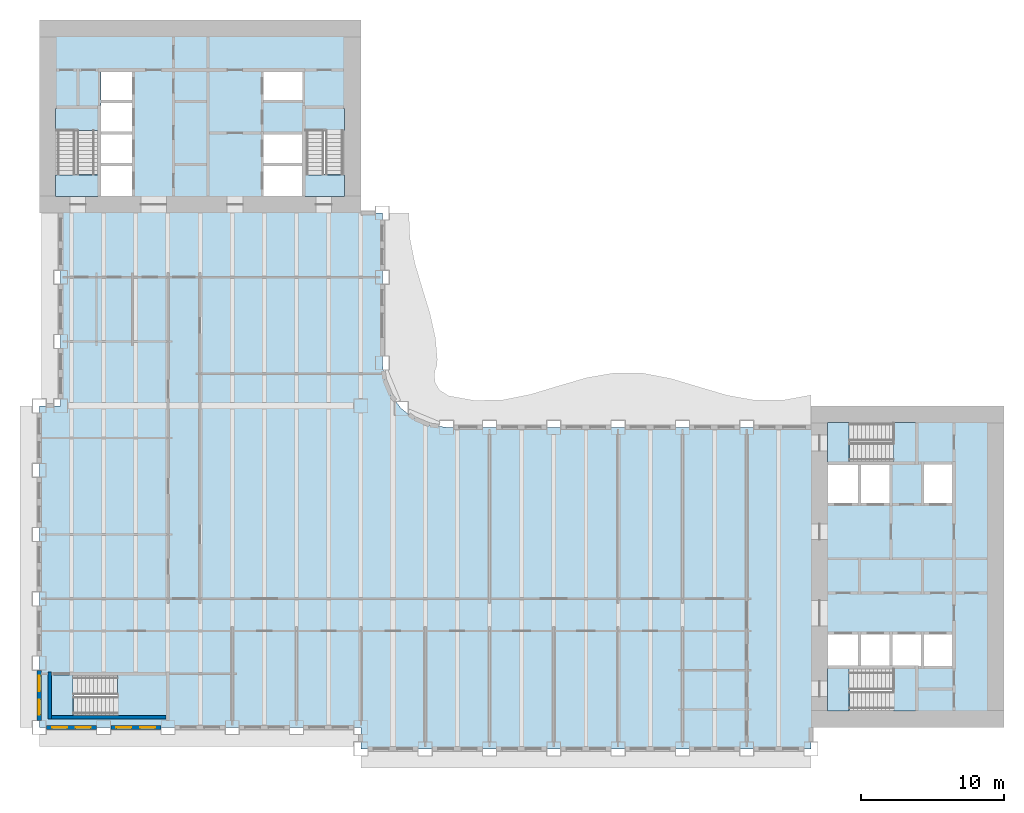
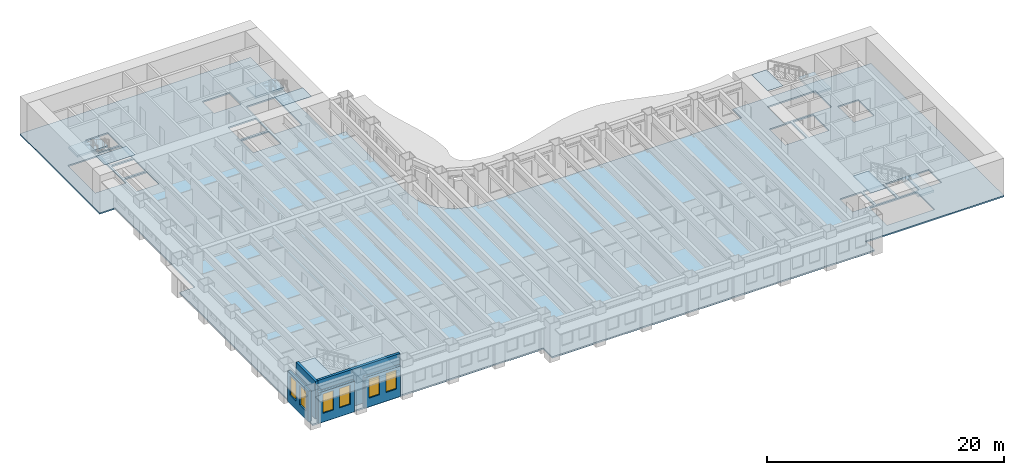
# One storey, part 2 of 16: 11 slabs, 6 windows, 5 walls, 6 openings, 5 elements without a shape of their own.
"""IFC4 building model written with IfcOpenShell, lengths in metres."""

from ifc_helpers import new_model, si_unit, direction, frame, frame_2d, origin, place, context, subcontext, project, spatial, polyline, rectangle, outline, extrude, material, layer, layer_set, type_object, element, fill, aggregate, save


model = new_model("IFC4")

# Units and contexts
model_context = context("Model", 3, precision=1e-05, world=origin(), true_north=direction((0.0, 1.0)))
body_context = subcontext(model_context, "Body", "Model", "MODEL_VIEW")
ifc_project = project(units=[si_unit("LENGTHUNIT", "METRE"), si_unit("AREAUNIT", "SQUARE_METRE"), si_unit("VOLUMEUNIT", "CUBIC_METRE"), si_unit("PLANEANGLEUNIT", "RADIAN"), si_unit("MASSUNIT", "GRAM", prefix="KILO")], contexts=[model_context])

# Site, building, storey
site_placement = place(None, origin())
site = spatial("IfcSite", under=ifc_project, at=site_placement, CompositionType="ELEMENT")
building_placement = place(site_placement, origin())
building = spatial("IfcBuilding", under=site, at=building_placement, Name="Sennacour Bend Tower", CompositionType="ELEMENT")
storey_placement = place(building_placement, frame((0.0, 0.0, 103.0)))
storey = spatial("IfcBuildingStorey", under=building, at=storey_placement, Name="L23", CompositionType="ELEMENT", Elevation=103.0)

# Slabs
ifc_material_1 = material(Name="Concrete C30/37", Category="concrete")
ifc_layer_1 = layer(ifc_material_1, 0.14990234375, Name="Concrete C30/37", Category="concrete")
ifc_layer_set_1 = layer_set([ifc_layer_1], Name="Concrete C30/37")
slab_type_1 = type_object("IfcSlabType", Name="Floor slab 150", PredefinedType="FLOOR", material=ifc_layer_set_1)
slab_1_placement = place(storey_placement, frame((0.0, 0.0, -0.14990234375)))
element("IfcSlab", 1, at=slab_1_placement, inside=storey, type_object=slab_type_1, Name="Floor slab L23-01", PredefinedType="FLOOR", context=body_context, shape_type="SweptSolid", body=[
    extrude(outline(polyline([(22.5, 0.0), (0.0, 0.0), (0.0, 22.5), (1.5, 22.5), (1.5, 36.0), (0.0, 36.0), (0.0, 49.5), (22.5, 49.5), (22.5, 36.0), (24.0, 36.0), (24.0, 25.5), (24.1533203125, 24.335205078125), (24.602783203125, 23.25), (25.318115234375, 22.318115234375), (26.25, 21.602783203125), (27.335205078125, 21.1533203125), (28.5, 21.0), (54.0, 21.0), (54.0, 22.5), (67.5, 22.5), (67.5, 0.0), (54.0, 0.0), (54.0, -1.5), (22.5, -1.5), (22.5, 0.0)]), holes=[polyline([(8.800048828125, 0.949951171875), (8.800048828125, 3.5), (2.429931640625, 3.5), (2.429931640625, 0.949951171875), (8.800048828125, 0.949951171875)]), polyline([(6.5, 37.199951171875), (6.5, 39.300048828125), (4.300048828125, 39.300048828125), (4.300048828125, 37.199951171875), (6.5, 37.199951171875)]), polyline([(18.39990234375, 37.199951171875), (18.39990234375, 39.300048828125), (15.699951171875, 39.300048828125), (15.699951171875, 37.199951171875), (18.39990234375, 37.199951171875)]), polyline([(6.5, 39.5), (6.5, 41.5), (4.300048828125, 41.5), (4.300048828125, 39.5), (6.5, 39.5)]), polyline([(18.39990234375, 39.5), (18.39990234375, 41.5), (15.699951171875, 41.5), (15.699951171875, 39.5), (18.39990234375, 39.5)]), polyline([(4.125, 38.72998046875), (4.125, 43.39990234375), (1.14990234375, 43.39990234375), (1.14990234375, 38.72998046875), (4.125, 38.72998046875)]), polyline([(21.35009765625, 38.72998046875), (21.35009765625, 43.39990234375), (18.574951171875, 43.39990234375), (18.574951171875, 38.72998046875), (21.35009765625, 38.72998046875)]), polyline([(4.300048828125, 41.699951171875), (6.5, 41.699951171875), (6.5, 43.699951171875), (4.300048828125, 43.699951171875), (4.300048828125, 41.699951171875)]), polyline([(4.300048828125, 43.89990234375), (6.5, 43.89990234375), (6.5, 45.89990234375), (4.300048828125, 45.89990234375), (4.300048828125, 43.89990234375)]), polyline([(18.39990234375, 43.89990234375), (18.39990234375, 45.89990234375), (15.699951171875, 45.89990234375), (15.699951171875, 43.89990234375), (18.39990234375, 43.89990234375)]), polyline([(61.39990234375, 1.14990234375), (61.39990234375, 4.125), (56.72998046875, 4.125), (56.72998046875, 1.14990234375), (61.39990234375, 1.14990234375)]), polyline([(57.300048828125, 4.300048828125), (57.300048828125, 6.5), (55.199951171875, 6.5), (55.199951171875, 4.300048828125), (57.300048828125, 4.300048828125)]), polyline([(57.5, 4.300048828125), (59.5, 4.300048828125), (59.5, 6.5), (57.5, 6.5), (57.5, 4.300048828125)]), polyline([(59.699951171875, 4.300048828125), (61.699951171875, 4.300048828125), (61.699951171875, 6.5), (59.699951171875, 6.5), (59.699951171875, 4.300048828125)]), polyline([(63.89990234375, 4.300048828125), (63.89990234375, 6.5), (61.89990234375, 6.5), (61.89990234375, 4.300048828125), (63.89990234375, 4.300048828125)]), polyline([(57.300048828125, 15.699951171875), (57.300048828125, 18.39990234375), (55.199951171875, 18.39990234375), (55.199951171875, 15.699951171875), (57.300048828125, 15.699951171875)]), polyline([(59.5, 15.699951171875), (59.5, 18.39990234375), (57.5, 18.39990234375), (57.5, 15.699951171875), (59.5, 15.699951171875)]), polyline([(61.89990234375, 15.699951171875), (63.89990234375, 15.699951171875), (63.89990234375, 18.39990234375), (61.89990234375, 18.39990234375), (61.89990234375, 15.699951171875)]), polyline([(56.72998046875, 18.574951171875), (61.39990234375, 18.574951171875), (61.39990234375, 21.35009765625), (56.72998046875, 21.35009765625), (56.72998046875, 18.574951171875)])]), origin(), (0.0, 0.0, 1.0), 0.14990234375),
])
ifc_material_2 = material(Name="Concrete C40/50", Category="concrete")
ifc_layer_2 = layer(ifc_material_2, 0.034912109375, Name="Concrete C40/50", Category="concrete")
ifc_layer_set_2 = layer_set([ifc_layer_2], Name="Concrete C40/50")
slab_type_2 = type_object("IfcSlabType", Name="Stair arrival nib 35", PredefinedType="FLOOR", material=ifc_layer_set_2)
slab_2_placement = place(storey_placement, frame((0.0, 0.0, 3.815185546875)))
element("IfcSlab", 2, at=slab_2_placement, inside=storey, type_object=slab_type_2, Name="L23 SA1 stair arrival nib", PredefinedType="FLOOR", context=body_context, shape_type="SweptSolid", body=[
    extrude(outline(polyline([(56.64208984375, 4.125), (55.14990234375, 4.125), (55.14990234375, 1.14990234375), (56.64208984375, 1.14990234375), (56.64208984375, 4.125)])), origin(), (0.0, 0.0, 1.0), 0.034912109375),
])
slab_3_placement = place(storey_placement, frame((0.0, 0.0, 3.815185546875)))
element("IfcSlab", 3, at=slab_3_placement, inside=storey, type_object=slab_type_2, Name="L23 SA2 stair arrival nib", PredefinedType="FLOOR", context=body_context, shape_type="SweptSolid", body=[
    extrude(outline(polyline([(56.64208984375, 21.35009765625), (55.14990234375, 21.35009765625), (55.14990234375, 18.574951171875), (56.64208984375, 18.574951171875), (56.64208984375, 21.35009765625)])), origin(), (0.0, 0.0, 1.0), 0.034912109375),
])
slab_4_placement = place(storey_placement, frame((0.0, 0.0, 3.815185546875)))
element("IfcSlab", 4, at=slab_4_placement, inside=storey, type_object=slab_type_2, Name="L23 SB1 stair arrival nib", PredefinedType="FLOOR", context=body_context, shape_type="SweptSolid", body=[
    extrude(outline(polyline([(1.14990234375, 38.64208984375), (1.14990234375, 37.14990234375), (4.125, 37.14990234375), (4.125, 38.64208984375), (1.14990234375, 38.64208984375)])), origin(), (0.0, 0.0, 1.0), 0.034912109375),
])
slab_5_placement = place(storey_placement, frame((0.0, 0.0, 3.815185546875)))
element("IfcSlab", 5, at=slab_5_placement, inside=storey, type_object=slab_type_2, Name="L23 SB2 stair arrival nib", PredefinedType="FLOOR", context=body_context, shape_type="SweptSolid", body=[
    extrude(outline(polyline([(18.574951171875, 38.64208984375), (18.574951171875, 37.14990234375), (21.35009765625, 37.14990234375), (21.35009765625, 38.64208984375), (18.574951171875, 38.64208984375)])), origin(), (0.0, 0.0, 1.0), 0.034912109375),
])
slab_6_placement = place(storey_placement, frame((0.0, 0.0, 3.815185546875)))
element("IfcSlab", 6, at=slab_6_placement, inside=storey, type_object=slab_type_2, Name="L23 SK1 stair arrival nib", PredefinedType="FLOOR", context=body_context, shape_type="SweptSolid", body=[
    extrude(outline(polyline([(2.342041015625, 3.675048828125), (0.800048828125, 3.675048828125), (0.800048828125, 0.800048828125), (2.342041015625, 0.800048828125), (2.342041015625, 3.675048828125)])), origin(), (0.0, 0.0, 1.0), 0.034912109375),
])

# Stair, slab
stair_type = type_object("IfcStairType", Name="ST-DOGLEG", PredefinedType="HALF_TURN_STAIR", material=ifc_material_2)
stair_1_placement = place(storey_placement, origin())
stair_1 = element("IfcStair", 7, at=stair_1_placement, inside=storey, type_object=stair_type, Name="L23 Exit stair A1", PredefinedType="HALF_TURN_STAIR")
ifc_layer_3 = layer(ifc_material_2, 0.199951171875, Name="Concrete C40/50", Category="concrete")
ifc_layer_set_3 = layer_set([ifc_layer_3], Name="Concrete C40/50")
slab_type_3 = type_object("IfcSlabType", Name="Stair landing 200", PredefinedType="LANDING", material=ifc_layer_set_3)
slab_7_placement = place(storey_placement, frame((0.0, 0.0, 1.800048828125)))
slab_7 = element("IfcSlab", 8, at=slab_7_placement, type_object=slab_type_3, Name="SA1 landing 1", PredefinedType="LANDING", context=body_context, shape_type="SweptSolid", body=[
    extrude(outline(polyline([(59.780029296875, 1.14990234375), (61.324951171875, 1.14990234375), (61.324951171875, 4.125), (59.780029296875, 4.125), (59.780029296875, 1.14990234375)])), origin(), (0.0, 0.0, 1.0), 0.199951171875),
])
aggregate(stair_1, [slab_7])

stair_2_placement = place(storey_placement, origin())
stair_2 = element("IfcStair", 9, at=stair_2_placement, inside=storey, type_object=stair_type, Name="L23 Exit stair A2", PredefinedType="HALF_TURN_STAIR")
slab_8_placement = place(storey_placement, frame((0.0, 0.0, 1.800048828125)))
slab_8 = element("IfcSlab", 10, at=slab_8_placement, type_object=slab_type_3, Name="SA2 landing 1", PredefinedType="LANDING", context=body_context, shape_type="SweptSolid", body=[
    extrude(outline(polyline([(59.780029296875, 18.574951171875), (61.324951171875, 18.574951171875), (61.324951171875, 21.35009765625), (59.780029296875, 21.35009765625), (59.780029296875, 18.574951171875)])), origin(), (0.0, 0.0, 1.0), 0.199951171875),
])
aggregate(stair_2, [slab_8])

stair_3_placement = place(storey_placement, origin())
stair_3 = element("IfcStair", 11, at=stair_3_placement, inside=storey, type_object=stair_type, Name="L23 Exit stair B1", PredefinedType="HALF_TURN_STAIR")
slab_9_placement = place(storey_placement, frame((0.0, 0.0, 1.800048828125)))
slab_9 = element("IfcSlab", 12, at=slab_9_placement, type_object=slab_type_3, Name="SB1 landing 1", PredefinedType="LANDING", context=body_context, shape_type="SweptSolid", body=[
    extrude(outline(polyline([(1.14990234375, 41.780029296875), (4.125, 41.780029296875), (4.125, 43.324951171875), (1.14990234375, 43.324951171875), (1.14990234375, 41.780029296875)])), origin(), (0.0, 0.0, 1.0), 0.199951171875),
])
aggregate(stair_3, [slab_9])

stair_4_placement = place(storey_placement, origin())
stair_4 = element("IfcStair", 13, at=stair_4_placement, inside=storey, type_object=stair_type, Name="L23 Exit stair B2", PredefinedType="HALF_TURN_STAIR")
slab_10_placement = place(storey_placement, frame((0.0, 0.0, 1.800048828125)))
slab_10 = element("IfcSlab", 14, at=slab_10_placement, type_object=slab_type_3, Name="SB2 landing 1", PredefinedType="LANDING", context=body_context, shape_type="SweptSolid", body=[
    extrude(outline(polyline([(18.574951171875, 41.780029296875), (21.35009765625, 41.780029296875), (21.35009765625, 43.324951171875), (18.574951171875, 43.324951171875), (18.574951171875, 41.780029296875)])), origin(), (0.0, 0.0, 1.0), 0.199951171875),
])
aggregate(stair_4, [slab_10])

stair_5_placement = place(storey_placement, origin())
stair_5 = element("IfcStair", 15, at=stair_5_placement, inside=storey, type_object=stair_type, Name="L23 Exit stair K1", PredefinedType="HALF_TURN_STAIR")
slab_11_placement = place(storey_placement, frame((0.0, 0.0, 1.800048828125)))
slab_11 = element("IfcSlab", 16, at=slab_11_placement, type_object=slab_type_3, Name="SK1 landing 1", PredefinedType="LANDING", context=body_context, shape_type="SweptSolid", body=[
    extrude(outline(polyline([(5.47998046875, 0.800048828125), (8.925048828125, 0.800048828125), (8.925048828125, 3.675048828125), (5.47998046875, 3.675048828125), (5.47998046875, 0.800048828125)])), origin(), (0.0, 0.0, 1.0), 0.199951171875),
])
aggregate(stair_5, [slab_11])

# Wall, openings, windows
ifc_material_3 = material(Name="Warm limestone cladding", Category="masonry")
ifc_layer_4 = layer(ifc_material_3, 0.050048828125, Name="Warm limestone cladding", Category="masonry")
ifc_material_4 = material(Name="Precast concrete C40/50", Category="concrete")
ifc_layer_5 = layer(ifc_material_4, 0.25, Name="Precast concrete C40/50", Category="concrete")
ifc_layer_set_4 = layer_set([ifc_layer_4, ifc_layer_5], Name="Precast concrete C40/50 with limestone cladding")
wall_type_1 = type_object("IfcWallType", Name="STONE-CLAD PRECAST SPANDREL 300", PredefinedType="STANDARD", material=ifc_layer_set_4)
wall_1_placement = place(storey_placement, frame((0.0, 4.0, 0.0), z_axis=(0.0, 0.0, 1.0), x_axis=(0.0, -1.0, 0.0)))
wall_1 = element("IfcWall", 17, at=wall_1_placement, inside=storey, type_object=wall_type_1, Name="Stone spandrel and pier wall L23 21.04", PredefinedType="STANDARD", context=body_context, shape_type="SweptSolid", body=[
    extrude(rectangle(XDim=3.5, YDim=0.300048828125, at=frame_2d((1.75, 0.0))), origin(), (0.0, 0.0, 1.0), 3.154052734375),
])
opening_1_placement = place(wall_1_placement, frame((0.39990234375, 0.0, 0.89990234375)))
opening_1 = element("IfcOpeningElement", 18, at=opening_1_placement, cuts=wall_1, Name="Opening W13", PredefinedType="OPENING", context=body_context, shape_type="SweptSolid", body=[
    extrude(rectangle(XDim=1.050048828125, YDim=2.0, at=frame_2d((0.52490234375, 1.0))), frame((0.0, 0.16015625, 0.0), z_axis=(0.0, -1.0, 0.0), x_axis=(1.0, 0.0, 0.0)), (0.0, 0.0, 1.0), 0.320068359375),
])
opening_2_placement = place(wall_1_placement, frame((2.050048828125, 0.0, 0.89990234375)))
opening_2 = element("IfcOpeningElement", 19, at=opening_2_placement, cuts=wall_1, Name="Opening W13", PredefinedType="OPENING", context=body_context, shape_type="SweptSolid", body=[
    extrude(rectangle(XDim=1.050048828125, YDim=2.0, at=frame_2d((0.52490234375, 1.0))), frame((0.0, 0.16015625, 0.0), z_axis=(0.0, -1.0, 0.0), x_axis=(1.0, 0.0, 0.0)), (0.0, 0.0, 1.0), 0.320068359375),
])
ifc_material_5 = material(Name="Clear low-emissivity glass", Category="glass")
window_type = type_object("IfcWindowType", Name="WIN-RIBBON-1050x2000", PartitioningType="SINGLE_PANEL", PredefinedType="WINDOW", material=ifc_material_5)
window_1_placement = place(opening_1_placement, origin())
window_1 = element("IfcWindow", 20, at=window_1_placement, inside=storey, type_object=window_type, Name="Ribbon window L23 21.04.0", OverallHeight=2.0, OverallWidth=1.050048828125, PartitioningType="SINGLE_PANEL", PredefinedType="WINDOW", context=body_context, shape_type="SweptSolid", body=[
    extrude(rectangle(XDim=1.050048828125, YDim=2.0, at=frame_2d((0.52490234375, 1.0))), frame((0.0, 0.030029296875, 0.0), z_axis=(0.0, -1.0, 0.0), x_axis=(1.0, 0.0, 0.0)), (0.0, 0.0, 1.0), 0.06005859375),
])
fill(opening_1, window_1)
window_2_placement = place(opening_2_placement, origin())
window_2 = element("IfcWindow", 21, at=window_2_placement, inside=storey, type_object=window_type, Name="Ribbon window L23 21.04.1", OverallHeight=2.0, OverallWidth=1.050048828125, PartitioningType="SINGLE_PANEL", PredefinedType="WINDOW", context=body_context, shape_type="SweptSolid", body=[
    extrude(rectangle(XDim=1.050048828125, YDim=2.0, at=frame_2d((0.52490234375, 1.0))), frame((0.0, 0.030029296875, 0.0), z_axis=(0.0, -1.0, 0.0), x_axis=(1.0, 0.0, 0.0)), (0.0, 0.0, 1.0), 0.06005859375),
])
fill(opening_2, window_2)

wall_2_placement = place(storey_placement, frame((0.5, 0.0, 0.0), z_axis=(0.0, 0.0, 1.0), x_axis=(1.0, 0.0, 0.0)))
wall_2 = element("IfcWall", 22, at=wall_2_placement, inside=storey, type_object=wall_type_1, Name="Stone spandrel and pier wall L23 22.00", PredefinedType="STANDARD", context=body_context, shape_type="SweptSolid", body=[
    extrude(rectangle(XDim=3.5, YDim=0.300048828125, at=frame_2d((1.75, 0.0))), origin(), (0.0, 0.0, 1.0), 3.154052734375),
])
opening_3_placement = place(wall_2_placement, frame((0.39990234375, 0.0, 0.89990234375)))
opening_3 = element("IfcOpeningElement", 23, at=opening_3_placement, cuts=wall_2, Name="Opening W13", PredefinedType="OPENING", context=body_context, shape_type="SweptSolid", body=[
    extrude(rectangle(XDim=1.050048828125, YDim=2.0, at=frame_2d((0.52490234375, 1.0))), frame((0.0, 0.16015625, 0.0), z_axis=(0.0, -1.0, 0.0), x_axis=(1.0, 0.0, 0.0)), (0.0, 0.0, 1.0), 0.320068359375),
])
opening_4_placement = place(wall_2_placement, frame((2.050048828125, 0.0, 0.89990234375)))
opening_4 = element("IfcOpeningElement", 24, at=opening_4_placement, cuts=wall_2, Name="Opening W13", PredefinedType="OPENING", context=body_context, shape_type="SweptSolid", body=[
    extrude(rectangle(XDim=1.050048828125, YDim=2.0, at=frame_2d((0.52490234375, 1.0))), frame((0.0, 0.16015625, 0.0), z_axis=(0.0, -1.0, 0.0), x_axis=(1.0, 0.0, 0.0)), (0.0, 0.0, 1.0), 0.320068359375),
])
window_3_placement = place(opening_3_placement, origin())
window_3 = element("IfcWindow", 25, at=window_3_placement, inside=storey, type_object=window_type, Name="Ribbon window L23 22.00.0", OverallHeight=2.0, OverallWidth=1.050048828125, PartitioningType="SINGLE_PANEL", PredefinedType="WINDOW", context=body_context, shape_type="SweptSolid", body=[
    extrude(rectangle(XDim=1.050048828125, YDim=2.0, at=frame_2d((0.52490234375, 1.0))), frame((0.0, 0.030029296875, 0.0), z_axis=(0.0, -1.0, 0.0), x_axis=(1.0, 0.0, 0.0)), (0.0, 0.0, 1.0), 0.06005859375),
])
fill(opening_3, window_3)
window_4_placement = place(opening_4_placement, origin())
window_4 = element("IfcWindow", 26, at=window_4_placement, inside=storey, type_object=window_type, Name="Ribbon window L23 22.00.1", OverallHeight=2.0, OverallWidth=1.050048828125, PartitioningType="SINGLE_PANEL", PredefinedType="WINDOW", context=body_context, shape_type="SweptSolid", body=[
    extrude(rectangle(XDim=1.050048828125, YDim=2.0, at=frame_2d((0.52490234375, 1.0))), frame((0.0, 0.030029296875, 0.0), z_axis=(0.0, -1.0, 0.0), x_axis=(1.0, 0.0, 0.0)), (0.0, 0.0, 1.0), 0.06005859375),
])
fill(opening_4, window_4)

wall_3_placement = place(storey_placement, frame((5.0, 0.0, 0.0), z_axis=(0.0, 0.0, 1.0), x_axis=(1.0, 0.0, 0.0)))
wall_3 = element("IfcWall", 27, at=wall_3_placement, inside=storey, type_object=wall_type_1, Name="Stone spandrel and pier wall L23 22.01", PredefinedType="STANDARD", context=body_context, shape_type="SweptSolid", body=[
    extrude(rectangle(XDim=3.5, YDim=0.300048828125, at=frame_2d((1.75, 0.0))), origin(), (0.0, 0.0, 1.0), 3.154052734375),
])
opening_5_placement = place(wall_3_placement, frame((0.39990234375, 0.0, 0.89990234375)))
opening_5 = element("IfcOpeningElement", 28, at=opening_5_placement, cuts=wall_3, Name="Opening W13", PredefinedType="OPENING", context=body_context, shape_type="SweptSolid", body=[
    extrude(rectangle(XDim=1.050048828125, YDim=2.0, at=frame_2d((0.52490234375, 1.0))), frame((0.0, 0.16015625, 0.0), z_axis=(0.0, -1.0, 0.0), x_axis=(1.0, 0.0, 0.0)), (0.0, 0.0, 1.0), 0.320068359375),
])
opening_6_placement = place(wall_3_placement, frame((2.050048828125, 0.0, 0.89990234375)))
opening_6 = element("IfcOpeningElement", 29, at=opening_6_placement, cuts=wall_3, Name="Opening W13", PredefinedType="OPENING", context=body_context, shape_type="SweptSolid", body=[
    extrude(rectangle(XDim=1.050048828125, YDim=2.0, at=frame_2d((0.52490234375, 1.0))), frame((0.0, 0.16015625, 0.0), z_axis=(0.0, -1.0, 0.0), x_axis=(1.0, 0.0, 0.0)), (0.0, 0.0, 1.0), 0.320068359375),
])
window_5_placement = place(opening_5_placement, origin())
window_5 = element("IfcWindow", 30, at=window_5_placement, inside=storey, type_object=window_type, Name="Ribbon window L23 22.01.0", OverallHeight=2.0, OverallWidth=1.050048828125, PartitioningType="SINGLE_PANEL", PredefinedType="WINDOW", context=body_context, shape_type="SweptSolid", body=[
    extrude(rectangle(XDim=1.050048828125, YDim=2.0, at=frame_2d((0.52490234375, 1.0))), frame((0.0, 0.030029296875, 0.0), z_axis=(0.0, -1.0, 0.0), x_axis=(1.0, 0.0, 0.0)), (0.0, 0.0, 1.0), 0.06005859375),
])
fill(opening_5, window_5)
window_6_placement = place(opening_6_placement, origin())
window_6 = element("IfcWindow", 31, at=window_6_placement, inside=storey, type_object=window_type, Name="Ribbon window L23 22.01.1", OverallHeight=2.0, OverallWidth=1.050048828125, PartitioningType="SINGLE_PANEL", PredefinedType="WINDOW", context=body_context, shape_type="SweptSolid", body=[
    extrude(rectangle(XDim=1.050048828125, YDim=2.0, at=frame_2d((0.52490234375, 1.0))), frame((0.0, 0.030029296875, 0.0), z_axis=(0.0, -1.0, 0.0), x_axis=(1.0, 0.0, 0.0)), (0.0, 0.0, 1.0), 0.06005859375),
])
fill(opening_6, window_6)

# Walls
ifc_material_6 = material(Name="Concrete C60/75", Category="concrete")
ifc_layer_6 = layer(ifc_material_6, 0.25, Name="Concrete C60/75", Category="concrete")
ifc_layer_set_5 = layer_set([ifc_layer_6], Name="Concrete C60/75")
wall_type_2 = type_object("IfcWallType", Name="Stair wall 250", PredefinedType="SHEAR", material=ifc_layer_set_5)
wall_4_placement = place(storey_placement, frame((0.72509765625, 0.60009765625, 0.0), z_axis=(0.0, 0.0, 1.0), x_axis=(0.0, 1.0, 0.0)))
element("IfcWall", 32, at=wall_4_placement, inside=storey, type_object=wall_type_2, Name="P-L23-W002", PredefinedType="SHEAR", context=body_context, shape_type="SweptSolid", body=[
    extrude(rectangle(XDim=3.27490234375, YDim=0.25, at=frame_2d((1.637451171875, 0.0))), origin(), (0.0, 0.0, 1.0), 3.85009765625),
])
wall_5_placement = place(storey_placement, frame((0.85009765625, 0.72509765625, 0.0), z_axis=(0.0, 0.0, 1.0), x_axis=(1.0, 0.0, 0.0)))
element("IfcWall", 33, at=wall_5_placement, inside=storey, type_object=wall_type_2, Name="P-L23-W050", PredefinedType="SHEAR", context=body_context, shape_type="SweptSolid", body=[
    extrude(rectangle(XDim=8.02490234375, YDim=0.25, at=frame_2d((4.012451171875, 0.0))), origin(), (0.0, 0.0, 1.0), 3.85009765625),
])

save(model, "model.ifc")
